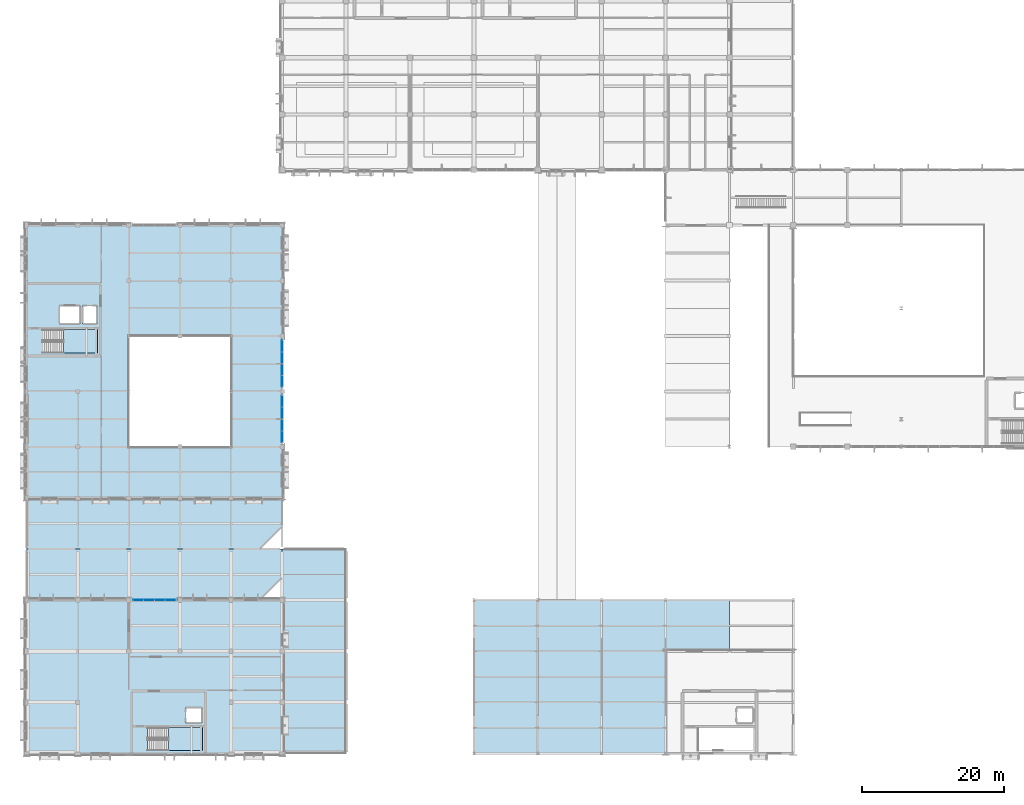
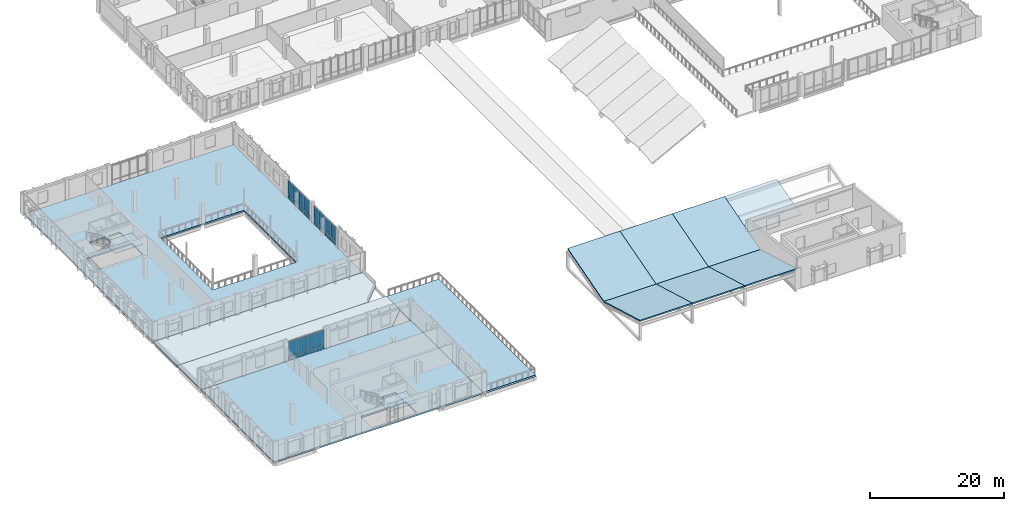
# One storey, part 29 of 64: 24 plates, 14 slabs, 7 elements without a shape of their own.
"""IFC4 building model written with IfcOpenShell, lengths in metres."""

from ifc_helpers import new_model, si_unit, direction, frame, origin, origin_2d, place, context, subcontext, project, spatial, polyline, rectangle, outline, extrude, material, layer, layer_set, type_object, element, aggregate, save


model = new_model("IFC4")

# Units and contexts
model_context = context("Model", 3, precision=1e-05, world=origin(), true_north=direction((0.0, 1.0)))
body_context = subcontext(model_context, "Body", "Model", "MODEL_VIEW")
ifc_project = project(units=[si_unit("LENGTHUNIT", "METRE"), si_unit("AREAUNIT", "SQUARE_METRE"), si_unit("VOLUMEUNIT", "CUBIC_METRE"), si_unit("PLANEANGLEUNIT", "RADIAN"), si_unit("MASSUNIT", "GRAM", prefix="KILO")], contexts=[model_context])

# Site, building, storey
site_placement = place(None, origin())
site = spatial("IfcSite", under=ifc_project, at=site_placement, CompositionType="ELEMENT")
building_placement = place(site_placement, origin())
building = spatial("IfcBuilding", under=site, at=building_placement, Name="Vervanel Yard Central Library", CompositionType="ELEMENT")
storey_placement = place(building_placement, frame((0.0, 0.0, 8.93994140625)))
storey = spatial("IfcBuildingStorey", under=building, at=storey_placement, Name="L02", CompositionType="ELEMENT", Elevation=8.93994140625)

# Slabs
ifc_material_1 = material(Name="Concrete C45/55", Category="concrete")
ifc_layer_1 = layer(ifc_material_1, 0.215087890625, Category="concrete")
ifc_layer_set_1 = layer_set([ifc_layer_1], Name="Concrete C45/55")
slab_type_1 = type_object("IfcSlabType", Name="Butterfly Folded Concrete Roof Slab 215", PredefinedType="ROOF", material=ifc_layer_set_1)
for number, where, z_axis, x_axis, name in (
    (1, (63.0, 0.0, 3.636962890625), (0.0, 0.275642262483, 0.961260288961), (1.0, 0.0, 0.0), "L02 V5 Butterfly Folded Concrete Roof Slab 215 V5-BF-S1"),
    (2, (63.0, 10.800048828125, 0.5400390625), (0.0, -0.275642262483, 0.961260288961), (1.0, 0.0, 0.0), "L02 V5 Butterfly Folded Concrete Roof Slab 215 V5-BF-N1"),
    (3, (72.0, 0.0, 3.636962890625), (0.0, 0.275642262483, 0.961260288961), (1.0, 0.0, 0.0), "L02 V5 Butterfly Folded Concrete Roof Slab 215 V5-BF-S2"),
    (4, (72.0, 10.800048828125, 0.5400390625), (0.0, -0.275642262483, 0.961260288961), (1.0, 0.0, 0.0), "L02 V5 Butterfly Folded Concrete Roof Slab 215 V5-BF-N2"),
    (5, (81.0, 0.0, 3.636962890625), (0.0, 0.275642262483, 0.961260288961), (1.0, 0.0, 0.0), "L02 V5 Butterfly Folded Concrete Roof Slab 215 V5-BF-S3"),
    (6, (81.0, 10.800048828125, 0.5400390625), (0.0, -0.275642262483, 0.961260288961), (1.0, 0.0, 0.0), "L02 V5 Butterfly Folded Concrete Roof Slab 215 V5-BF-N3"),
):
    element("IfcSlab", number, at=place(storey_placement, frame(where, z_axis=z_axis, x_axis=x_axis)), inside=storey, type_object=slab_type_1, Name=name, PredefinedType="ROOF", context=body_context, shape_type="SweptSolid", body=[
        extrude(outline(polyline([(0.0, 0.0), (9.0, 0.0), (9.0, 11.235301148037493), (0.0, 11.235301148037493), (0.0, 0.0)])), origin(), (0.0, 0.0, -1.0), 0.215087890625),
    ])
slab_1_placement = place(storey_placement, frame((90.0, 14.39990234375, 1.572265625), z_axis=(0.0, -0.27564654416, 0.961259061176), x_axis=(1.0, 0.0, 0.0)))
element("IfcSlab", 7, at=slab_1_placement, inside=storey, type_object=slab_type_1, Name="L02 V5 Butterfly Folded Concrete Roof Slab 215 V5-BF-N4", PredefinedType="ROOF", context=body_context, shape_type="SweptSolid", body=[
    extrude(outline(polyline([(0.0, 0.0), (9.0, 0.0), (9.0, 7.490379652382536), (0.0, 7.490379652382536), (0.0, 0.0)])), origin(), (0.0, 0.0, -1.0), 0.215087890625),
])

# Stair, slab
ifc_material_2 = material(Name="Concrete C40/50", Category="concrete")
stair_type_1 = type_object("IfcStairType", Name="Protected Core Dog-Leg Stair ST-03", PredefinedType="HALF_TURN_STAIR", material=ifc_material_2)
stair_1_placement = place(storey_placement, origin())
stair_1 = element("IfcStair", 8, at=stair_1_placement, inside=storey, type_object=stair_type_1, Name="L02 CORE-C Protected Exit Stair", PredefinedType="HALF_TURN_STAIR")
ifc_layer_2 = layer(ifc_material_2, 0.199951171875, Category="concrete")
ifc_layer_set_2 = layer_set([ifc_layer_2], Name="Concrete C40/50")
slab_type_2 = type_object("IfcSlabType", Name="Core Stair Concrete Landing Slab 200", PredefinedType="LANDING", material=ifc_layer_set_2)
slab_2_placement = place(storey_placement, frame((0.0, 0.0, 1.719970703125)))
slab_2 = element("IfcSlab", 9, at=slab_2_placement, type_object=slab_type_2, Name="ST-03 landing 1", PredefinedType="LANDING", context=body_context, shape_type="SweptSolid", body=[
    extrude(outline(polyline([(5.199951171875, 56.39990234375), (10.0, 56.39990234375), (10.0, 59.719970703125), (5.199951171875, 59.719970703125), (5.199951171875, 56.39990234375)])), origin(), (0.0, 0.0, 1.0), 0.2001953125),
])
aggregate(stair_1, [slab_2])

stair_type_2 = type_object("IfcStairType", Name="Protected Core Dog-Leg Stair ST-04", PredefinedType="HALF_TURN_STAIR", material=ifc_material_2)
stair_2_placement = place(storey_placement, origin())
stair_2 = element("IfcStair", 10, at=stair_2_placement, inside=storey, type_object=stair_type_2, Name="L02 CORE-D Protected Exit Stair", PredefinedType="HALF_TURN_STAIR")
slab_3_placement = place(storey_placement, frame((0.0, 0.0, 1.719970703125)))
slab_3 = element("IfcSlab", 11, at=slab_3_placement, type_object=slab_type_2, Name="ST-04 landing 1", PredefinedType="LANDING", context=body_context, shape_type="SweptSolid", body=[
    extrude(outline(polyline([(20.0, 0.39990234375), (24.800048828125, 0.39990234375), (24.800048828125, 3.659912109375), (20.0, 3.659912109375), (20.0, 0.39990234375)])), origin(), (0.0, 0.0, 1.0), 0.2001953125),
])
aggregate(stair_2, [slab_3])

# Curtain wall, plates
ifc_material_3 = material(Name="Thermally broken anodized aluminium 6063-T6", Category="aluminium")
curtain_wall_type_1 = type_object("IfcCurtainWallType", Name="Atrium Courtyard Curtain Wall", PredefinedType="NOTDEFINED", material=ifc_material_3)
curtain_wall_1_placement = place(storey_placement, origin())
curtain_wall_1 = element("IfcCurtainWall", 12, at=curtain_wall_1_placement, inside=storey, type_object=curtain_wall_type_1, Name="L02 Atrium Courtyard Curtain Wall CWR-L02-033", PredefinedType="NOTDEFINED")
ifc_material_4 = material(Name="Double low-E laminated solar-control glass", Category="glass")
ifc_layer_3 = layer(ifc_material_4, 0.030029296875, Category="glass")
ifc_layer_set_3 = layer_set([ifc_layer_3], Name="Double low-E laminated solar-control glass")
plate_type_1 = type_object("IfcPlateType", Name="Courtyard Clear Low-E Panel 30", PredefinedType="CURTAIN_PANEL", material=ifc_layer_set_3)
plate_1_placement = place(storey_placement, frame((36.0, 44.611328125, 0.882568359375), z_axis=(0.0, 0.0, 1.0), x_axis=(0.0, 1.0, 0.0)))
plate_1 = element("IfcPlate", 13, at=plate_1_placement, type_object=plate_type_1, Name="CWR-L02-033 Panel B1-2", PredefinedType="CURTAIN_PANEL", context=body_context, shape_type="SweptSolid", body=[
    extrude(rectangle(XDim=1.572509765625, YDim=0.030029296875, at=origin_2d()), origin(), (0.0, 0.0, 1.0), 2.5625),
])
plate_2_placement = place(storey_placement, frame((36.0, 46.248779296875, 0.882568359375), z_axis=(0.0, 0.0, 1.0), x_axis=(0.0, 1.0, 0.0)))
plate_2 = element("IfcPlate", 14, at=plate_2_placement, type_object=plate_type_1, Name="CWR-L02-033 Panel B2-2", PredefinedType="CURTAIN_PANEL", context=body_context, shape_type="SweptSolid", body=[
    extrude(rectangle(XDim=1.572509765625, YDim=0.030029296875, at=origin_2d()), origin(), (0.0, 0.0, 1.0), 2.5625),
])

curtain_wall_2_placement = place(storey_placement, origin())
curtain_wall_2 = element("IfcCurtainWall", 15, at=curtain_wall_2_placement, inside=storey, type_object=curtain_wall_type_1, Name="L02 Atrium Courtyard Curtain Wall CWR-L02-034", PredefinedType="NOTDEFINED")
plate_3_placement = place(storey_placement, frame((36.0, 47.951171875, 0.882568359375), z_axis=(0.0, 0.0, 1.0), x_axis=(0.0, 1.0, 0.0)))
plate_3 = element("IfcPlate", 16, at=plate_3_placement, type_object=plate_type_1, Name="CWR-L02-034 Panel B1-2", PredefinedType="CURTAIN_PANEL", context=body_context, shape_type="SweptSolid", body=[
    extrude(rectangle(XDim=1.572509765625, YDim=0.030029296875, at=origin_2d()), origin(), (0.0, 0.0, 1.0), 2.5625),
])
plate_4_placement = place(storey_placement, frame((36.0, 49.5888671875, 0.882568359375), z_axis=(0.0, 0.0, 1.0), x_axis=(0.0, 1.0, 0.0)))
plate_4 = element("IfcPlate", 17, at=plate_4_placement, type_object=plate_type_1, Name="CWR-L02-034 Panel B2-2", PredefinedType="CURTAIN_PANEL", context=body_context, shape_type="SweptSolid", body=[
    extrude(rectangle(XDim=1.572509765625, YDim=0.030029296875, at=origin_2d()), origin(), (0.0, 0.0, 1.0), 2.5625),
])

curtain_wall_3_placement = place(storey_placement, origin())
curtain_wall_3 = element("IfcCurtainWall", 18, at=curtain_wall_3_placement, inside=storey, type_object=curtain_wall_type_1, Name="L02 Atrium Courtyard Curtain Wall CWR-L02-035", PredefinedType="NOTDEFINED")
plate_5_placement = place(storey_placement, frame((36.0, 52.4111328125, 0.882568359375), z_axis=(0.0, 0.0, 1.0), x_axis=(0.0, 1.0, 0.0)))
plate_5 = element("IfcPlate", 19, at=plate_5_placement, type_object=plate_type_1, Name="CWR-L02-035 Panel B1-2", PredefinedType="CURTAIN_PANEL", context=body_context, shape_type="SweptSolid", body=[
    extrude(rectangle(XDim=1.572509765625, YDim=0.030029296875, at=origin_2d()), origin(), (0.0, 0.0, 1.0), 2.5625),
])
plate_6_placement = place(storey_placement, frame((36.0, 54.048828125, 0.882568359375), z_axis=(0.0, 0.0, 1.0), x_axis=(0.0, 1.0, 0.0)))
plate_6 = element("IfcPlate", 20, at=plate_6_placement, type_object=plate_type_1, Name="CWR-L02-035 Panel B2-2", PredefinedType="CURTAIN_PANEL", context=body_context, shape_type="SweptSolid", body=[
    extrude(rectangle(XDim=1.572509765625, YDim=0.030029296875, at=origin_2d()), origin(), (0.0, 0.0, 1.0), 2.5625),
])

curtain_wall_4_placement = place(storey_placement, origin())
curtain_wall_4 = element("IfcCurtainWall", 21, at=curtain_wall_4_placement, inside=storey, type_object=curtain_wall_type_1, Name="L02 Atrium Courtyard Curtain Wall CWR-L02-036", PredefinedType="NOTDEFINED")
plate_7_placement = place(storey_placement, frame((36.0, 55.751220703125, 0.882568359375), z_axis=(0.0, 0.0, 1.0), x_axis=(0.0, 1.0, 0.0)))
plate_7 = element("IfcPlate", 22, at=plate_7_placement, type_object=plate_type_1, Name="CWR-L02-036 Panel B1-2", PredefinedType="CURTAIN_PANEL", context=body_context, shape_type="SweptSolid", body=[
    extrude(rectangle(XDim=1.572509765625, YDim=0.030029296875, at=origin_2d()), origin(), (0.0, 0.0, 1.0), 2.5625),
])
plate_8_placement = place(storey_placement, frame((36.0, 57.388671875, 0.882568359375), z_axis=(0.0, 0.0, 1.0), x_axis=(0.0, 1.0, 0.0)))
plate_8 = element("IfcPlate", 23, at=plate_8_placement, type_object=plate_type_1, Name="CWR-L02-036 Panel B2-2", PredefinedType="CURTAIN_PANEL", context=body_context, shape_type="SweptSolid", body=[
    extrude(rectangle(XDim=1.572509765625, YDim=0.030029296875, at=origin_2d()), origin(), (0.0, 0.0, 1.0), 2.5625),
])

curtain_wall_type_2 = type_object("IfcCurtainWallType", Name="Boulevard Cafe & Bridge Curtain Wall", PredefinedType="NOTDEFINED", material=ifc_material_3)
curtain_wall_5_placement = place(storey_placement, origin())
curtain_wall_5 = element("IfcCurtainWall", 24, at=curtain_wall_5_placement, inside=storey, type_object=curtain_wall_type_2, Name="L02 Boulevard Cafe & Bridge Curtain Wall CWR-L02-199", PredefinedType="NOTDEFINED")
plate_9_placement = place(storey_placement, frame((15.742431640625, 21.60009765625, 0.8798828125), z_axis=(0.0, 0.0, 1.0), x_axis=(1.0, 0.0, 0.0)))
plate_9 = element("IfcPlate", 25, at=plate_9_placement, type_object=plate_type_1, Name="CWR-L02-199 Panel B1-2", PredefinedType="CURTAIN_PANEL", context=body_context, shape_type="SweptSolid", body=[
    extrude(rectangle(XDim=1.445068359375, YDim=0.030029296875, at=origin_2d()), origin(), (0.0, 0.0, 1.0), 2.570068359375),
])
plate_10_placement = place(storey_placement, frame((17.24755859375, 21.60009765625, 0.8798828125), z_axis=(0.0, 0.0, 1.0), x_axis=(1.0, 0.0, 0.0)))
plate_10 = element("IfcPlate", 26, at=plate_10_placement, type_object=plate_type_1, Name="CWR-L02-199 Panel B2-2", PredefinedType="CURTAIN_PANEL", context=body_context, shape_type="SweptSolid", body=[
    extrude(rectangle(XDim=1.445068359375, YDim=0.030029296875, at=origin_2d()), origin(), (0.0, 0.0, 1.0), 2.570068359375),
])
plate_11_placement = place(storey_placement, frame((18.75244140625, 21.60009765625, 0.8798828125), z_axis=(0.0, 0.0, 1.0), x_axis=(1.0, 0.0, 0.0)))
plate_11 = element("IfcPlate", 27, at=plate_11_placement, type_object=plate_type_1, Name="CWR-L02-199 Panel B3-2", PredefinedType="CURTAIN_PANEL", context=body_context, shape_type="SweptSolid", body=[
    extrude(rectangle(XDim=1.445068359375, YDim=0.030029296875, at=origin_2d()), origin(), (0.0, 0.0, 1.0), 2.570068359375),
])
plate_12_placement = place(storey_placement, frame((20.257568359375, 21.60009765625, 0.8798828125), z_axis=(0.0, 0.0, 1.0), x_axis=(1.0, 0.0, 0.0)))
plate_12 = element("IfcPlate", 28, at=plate_12_placement, type_object=plate_type_1, Name="CWR-L02-199 Panel B4-2", PredefinedType="CURTAIN_PANEL", context=body_context, shape_type="SweptSolid", body=[
    extrude(rectangle(XDim=1.445068359375, YDim=0.030029296875, at=origin_2d()), origin(), (0.0, 0.0, 1.0), 2.570068359375),
])

# Slabs
ifc_layer_4 = layer(ifc_material_2, 0.25, Category="concrete")
ifc_layer_set_4 = layer_set([ifc_layer_4], Name="Concrete C40/50")
slab_type_3 = type_object("IfcSlabType", Name="Flat Concrete Roof Slab 250", PredefinedType="ROOF", material=ifc_layer_set_4)
slab_4_placement = place(storey_placement, frame((0.0, 0.0, -0.25)))
element("IfcSlab", 29, at=slab_4_placement, inside=storey, type_object=slab_type_3, Name="L02 V2 Flat Concrete Roof Slab 250", PredefinedType="ROOF", context=body_context, shape_type="SweptSolid", body=[
    extrude(outline(polyline([(0.0, 28.800048828125), (32.800048828125, 28.800048828125), (36.0, 32.0), (36.0, 36.0), (0.0, 36.0), (0.0, 28.800048828125)])), origin(), (0.0, 0.0, 1.0), 0.25),
])
slab_5_placement = place(storey_placement, frame((0.0, 0.0, -0.25)))
element("IfcSlab", 30, at=slab_5_placement, inside=storey, type_object=slab_type_3, Name="L02 V6 Flat Concrete Roof Slab 250", PredefinedType="ROOF", context=body_context, shape_type="SweptSolid", body=[
    extrude(outline(polyline([(0.0, 21.60009765625), (32.800048828125, 21.60009765625), (36.0, 24.800048828125), (36.0, 28.800048828125), (0.0, 28.800048828125), (0.0, 21.60009765625)])), origin(), (0.0, 0.0, 1.0), 0.25),
])

# Plate
ifc_material_5 = material(Name="Insulated bronze aluminium spandrel panel", Category="aluminium")
ifc_layer_5 = layer(ifc_material_5, 0.080078125, Category="aluminium")
ifc_layer_set_5 = layer_set([ifc_layer_5], Name="Insulated bronze aluminium spandrel panel")
plate_type_2 = type_object("IfcPlateType", Name="Insulated Bronze Spandrel Panel 80", PredefinedType="CURTAIN_PANEL", material=ifc_layer_set_5)
plate_13_placement = place(storey_placement, frame((36.0, 44.611328125, 0.065185546875), z_axis=(0.0, 0.0, 1.0), x_axis=(0.0, 1.0, 0.0)))
plate_13 = element("IfcPlate", 31, at=plate_13_placement, type_object=plate_type_2, Name="CWR-L02-033 Panel B1-1", PredefinedType="CURTAIN_PANEL", context=body_context, shape_type="SweptSolid", body=[
    extrude(rectangle(XDim=1.572509765625, YDim=0.080078125, at=origin_2d()), origin(), (0.0, 0.0, 1.0), 0.75244140625),
])

plate_14_placement = place(storey_placement, frame((36.0, 46.248779296875, 0.065185546875), z_axis=(0.0, 0.0, 1.0), x_axis=(0.0, 1.0, 0.0)))
plate_14 = element("IfcPlate", 32, at=plate_14_placement, type_object=plate_type_2, Name="CWR-L02-033 Panel B2-1", PredefinedType="CURTAIN_PANEL", context=body_context, shape_type="SweptSolid", body=[
    extrude(rectangle(XDim=1.572509765625, YDim=0.080078125, at=origin_2d()), origin(), (0.0, 0.0, 1.0), 0.75244140625),
])

aggregate(curtain_wall_1, [plate_13, plate_1, plate_14, plate_2])

plate_15_placement = place(storey_placement, frame((36.0, 47.951171875, 0.065185546875), z_axis=(0.0, 0.0, 1.0), x_axis=(0.0, 1.0, 0.0)))
plate_15 = element("IfcPlate", 33, at=plate_15_placement, type_object=plate_type_2, Name="CWR-L02-034 Panel B1-1", PredefinedType="CURTAIN_PANEL", context=body_context, shape_type="SweptSolid", body=[
    extrude(rectangle(XDim=1.572509765625, YDim=0.080078125, at=origin_2d()), origin(), (0.0, 0.0, 1.0), 0.75244140625),
])

plate_16_placement = place(storey_placement, frame((36.0, 49.5888671875, 0.065185546875), z_axis=(0.0, 0.0, 1.0), x_axis=(0.0, 1.0, 0.0)))
plate_16 = element("IfcPlate", 34, at=plate_16_placement, type_object=plate_type_2, Name="CWR-L02-034 Panel B2-1", PredefinedType="CURTAIN_PANEL", context=body_context, shape_type="SweptSolid", body=[
    extrude(rectangle(XDim=1.572509765625, YDim=0.080078125, at=origin_2d()), origin(), (0.0, 0.0, 1.0), 0.75244140625),
])

aggregate(curtain_wall_2, [plate_15, plate_3, plate_16, plate_4])

plate_17_placement = place(storey_placement, frame((36.0, 52.4111328125, 0.065185546875), z_axis=(0.0, 0.0, 1.0), x_axis=(0.0, 1.0, 0.0)))
plate_17 = element("IfcPlate", 35, at=plate_17_placement, type_object=plate_type_2, Name="CWR-L02-035 Panel B1-1", PredefinedType="CURTAIN_PANEL", context=body_context, shape_type="SweptSolid", body=[
    extrude(rectangle(XDim=1.572509765625, YDim=0.080078125, at=origin_2d()), origin(), (0.0, 0.0, 1.0), 0.75244140625),
])

plate_18_placement = place(storey_placement, frame((36.0, 54.048828125, 0.065185546875), z_axis=(0.0, 0.0, 1.0), x_axis=(0.0, 1.0, 0.0)))
plate_18 = element("IfcPlate", 36, at=plate_18_placement, type_object=plate_type_2, Name="CWR-L02-035 Panel B2-1", PredefinedType="CURTAIN_PANEL", context=body_context, shape_type="SweptSolid", body=[
    extrude(rectangle(XDim=1.572509765625, YDim=0.080078125, at=origin_2d()), origin(), (0.0, 0.0, 1.0), 0.75244140625),
])

aggregate(curtain_wall_3, [plate_17, plate_5, plate_18, plate_6])

plate_19_placement = place(storey_placement, frame((36.0, 55.751220703125, 0.065185546875), z_axis=(0.0, 0.0, 1.0), x_axis=(0.0, 1.0, 0.0)))
plate_19 = element("IfcPlate", 37, at=plate_19_placement, type_object=plate_type_2, Name="CWR-L02-036 Panel B1-1", PredefinedType="CURTAIN_PANEL", context=body_context, shape_type="SweptSolid", body=[
    extrude(rectangle(XDim=1.572509765625, YDim=0.080078125, at=origin_2d()), origin(), (0.0, 0.0, 1.0), 0.75244140625),
])

plate_20_placement = place(storey_placement, frame((36.0, 57.388671875, 0.065185546875), z_axis=(0.0, 0.0, 1.0), x_axis=(0.0, 1.0, 0.0)))
plate_20 = element("IfcPlate", 38, at=plate_20_placement, type_object=plate_type_2, Name="CWR-L02-036 Panel B2-1", PredefinedType="CURTAIN_PANEL", context=body_context, shape_type="SweptSolid", body=[
    extrude(rectangle(XDim=1.572509765625, YDim=0.080078125, at=origin_2d()), origin(), (0.0, 0.0, 1.0), 0.75244140625),
])

aggregate(curtain_wall_4, [plate_19, plate_7, plate_20, plate_8])

plate_21_placement = place(storey_placement, frame((15.742431640625, 21.60009765625, 0.06005859375), z_axis=(0.0, 0.0, 1.0), x_axis=(1.0, 0.0, 0.0)))
plate_21 = element("IfcPlate", 39, at=plate_21_placement, type_object=plate_type_2, Name="CWR-L02-199 Panel B1-1", PredefinedType="CURTAIN_PANEL", context=body_context, shape_type="SweptSolid", body=[
    extrude(rectangle(XDim=1.445068359375, YDim=0.080078125, at=origin_2d()), origin(), (0.0, 0.0, 1.0), 0.760009765625),
])

plate_22_placement = place(storey_placement, frame((17.24755859375, 21.60009765625, 0.06005859375), z_axis=(0.0, 0.0, 1.0), x_axis=(1.0, 0.0, 0.0)))
plate_22 = element("IfcPlate", 40, at=plate_22_placement, type_object=plate_type_2, Name="CWR-L02-199 Panel B2-1", PredefinedType="CURTAIN_PANEL", context=body_context, shape_type="SweptSolid", body=[
    extrude(rectangle(XDim=1.445068359375, YDim=0.080078125, at=origin_2d()), origin(), (0.0, 0.0, 1.0), 0.760009765625),
])

plate_23_placement = place(storey_placement, frame((18.75244140625, 21.60009765625, 0.06005859375), z_axis=(0.0, 0.0, 1.0), x_axis=(1.0, 0.0, 0.0)))
plate_23 = element("IfcPlate", 41, at=plate_23_placement, type_object=plate_type_2, Name="CWR-L02-199 Panel B3-1", PredefinedType="CURTAIN_PANEL", context=body_context, shape_type="SweptSolid", body=[
    extrude(rectangle(XDim=1.445068359375, YDim=0.080078125, at=origin_2d()), origin(), (0.0, 0.0, 1.0), 0.760009765625),
])

plate_24_placement = place(storey_placement, frame((20.257568359375, 21.60009765625, 0.06005859375), z_axis=(0.0, 0.0, 1.0), x_axis=(1.0, 0.0, 0.0)))
plate_24 = element("IfcPlate", 42, at=plate_24_placement, type_object=plate_type_2, Name="CWR-L02-199 Panel B4-1", PredefinedType="CURTAIN_PANEL", context=body_context, shape_type="SweptSolid", body=[
    extrude(rectangle(XDim=1.445068359375, YDim=0.080078125, at=origin_2d()), origin(), (0.0, 0.0, 1.0), 0.760009765625),
])

aggregate(curtain_wall_5, [plate_21, plate_9, plate_22, plate_10, plate_23, plate_11, plate_24, plate_12])

# Slabs
ifc_layer_6 = layer(ifc_material_2, 0.340087890625, Category="concrete")
ifc_layer_set_6 = layer_set([ifc_layer_6], Name="Concrete C40/50")
slab_type_4 = type_object("IfcSlabType", Name="Planted Roof Garden Terrace Slab 340", PredefinedType="FLOOR", material=ifc_layer_set_6)
slab_6_placement = place(storey_placement, frame((0.0, 0.0, -0.33984375)))
element("IfcSlab", 43, at=slab_6_placement, inside=storey, type_object=slab_type_4, Name="L02 Southwest Planted Reading Roof Terrace", PredefinedType="FLOOR", context=body_context, shape_type="SweptSolid", body=[
    extrude(outline(polyline([(36.0, 0.0), (45.0, 0.0), (45.0, 28.800048828125), (36.0, 28.800048828125), (36.0, 0.0)])), origin(), (0.0, 0.0, 1.0), 0.33984375),
])
ifc_layer_7 = layer(ifc_material_2, 0.280029296875, Category="concrete")
ifc_layer_set_7 = layer_set([ifc_layer_7], Name="Concrete C40/50")
slab_type_5 = type_object("IfcSlabType", Name="Reading Wing Floor Slab 280", PredefinedType="FLOOR", material=ifc_layer_set_7)
slab_7_placement = place(storey_placement, frame((0.0, 0.0, -0.280029296875)))
element("IfcSlab", 44, at=slab_7_placement, inside=storey, type_object=slab_type_5, Name="L02 V2 Reading Wing Floor Slab 280", PredefinedType="FLOOR", context=body_context, shape_type="SweptSolid", body=[
    extrude(outline(polyline([(0.0, 36.0), (36.0, 36.0), (36.0, 74.39990234375), (0.0, 74.39990234375), (0.0, 36.0)]), holes=[polyline([(14.39990234375, 43.199951171875), (28.800048828125, 43.199951171875), (28.800048828125, 58.800048828125), (14.39990234375, 58.800048828125), (14.39990234375, 43.199951171875)]), polyline([(2.235107421875, 56.39990234375), (10.0, 56.39990234375), (10.0, 59.719970703125), (2.235107421875, 59.719970703125), (2.235107421875, 56.39990234375)]), polyline([(4.60009765625, 60.5), (7.5, 60.5), (7.5, 63.10009765625), (4.60009765625, 63.10009765625), (4.60009765625, 60.5)]), polyline([(7.89990234375, 60.5), (9.89990234375, 60.5), (9.89990234375, 63.10009765625), (7.89990234375, 63.10009765625), (7.89990234375, 60.5)])]), origin(), (0.0, 0.0, 1.0), 0.280029296875),
])
slab_8_placement = place(storey_placement, frame((0.0, 0.0, -0.280029296875)))
element("IfcSlab", 45, at=slab_8_placement, inside=storey, type_object=slab_type_5, Name="L02 V6 Reading Wing Floor Slab 280", PredefinedType="FLOOR", context=body_context, shape_type="SweptSolid", body=[
    extrude(outline(polyline([(0.0, 0.0), (36.0, 0.0), (36.0, 21.60009765625), (0.0, 21.60009765625), (0.0, 0.0)]), holes=[polyline([(17.034912109375, 0.39990234375), (24.800048828125, 0.39990234375), (24.800048828125, 3.659912109375), (17.034912109375, 3.659912109375), (17.034912109375, 0.39990234375)]), polyline([(22.39990234375, 4.300048828125), (24.699951171875, 4.300048828125), (24.699951171875, 6.5), (22.39990234375, 6.5), (22.39990234375, 4.300048828125)])]), origin(), (0.0, 0.0, 1.0), 0.280029296875),
])

save(model, "model.ifc")
